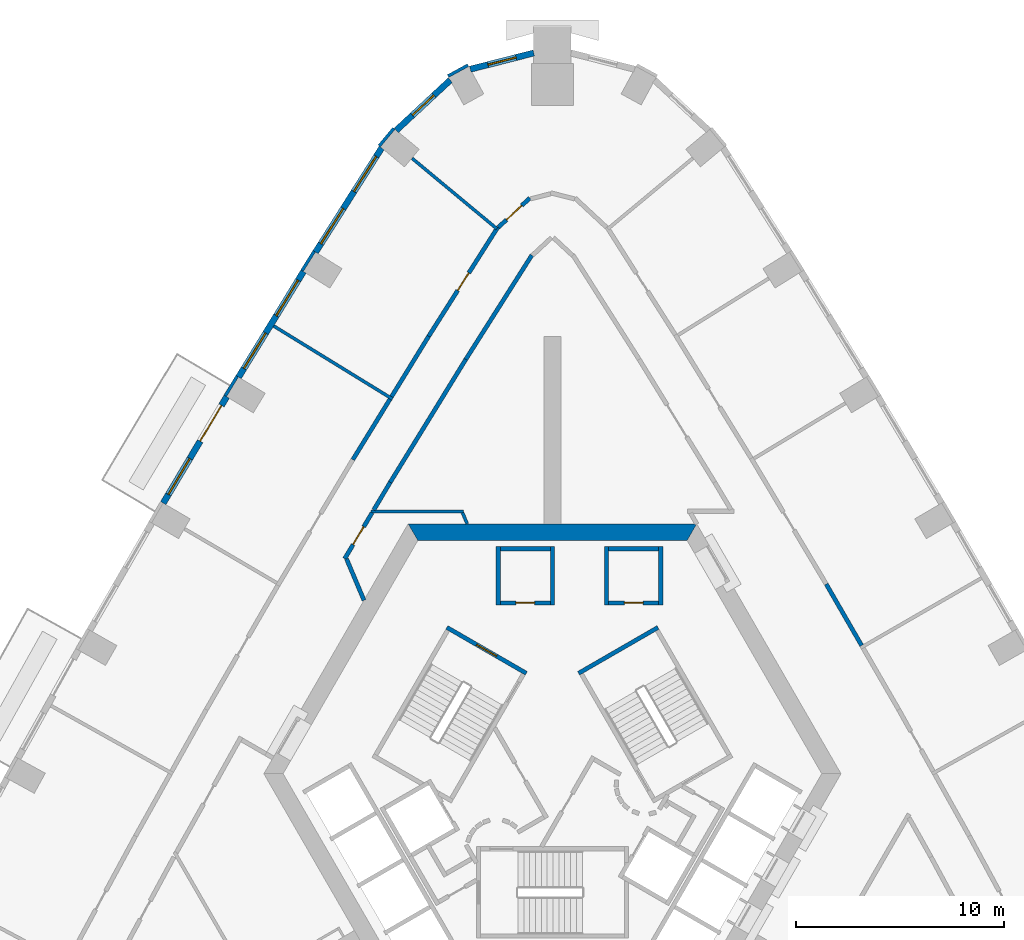
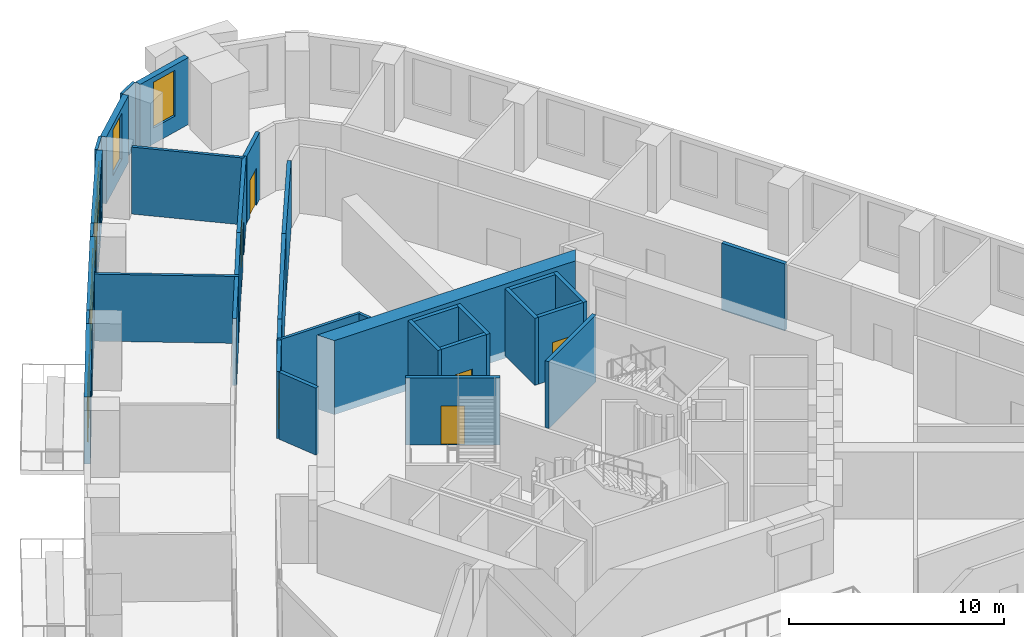
# One storey, part 9 of 14: 34 walls, 7 doors, 7 windows, 14 openings.
"""IFC4 building model written with IfcOpenShell, lengths in metres."""

from ifc_helpers import new_model, si_unit, direction, frame, frame_2d, origin, place, context, subcontext, project, spatial, polyline, rectangle, outline, extrude, material, layer, layer_set, type_object, element, fill, save


model = new_model("IFC4")

# Units and contexts
model_context = context("Model", 3, precision=1e-05, world=origin(), true_north=direction((0.0, 1.0)))
body_context = subcontext(model_context, "Body", "Model", "MODEL_VIEW")
ifc_project = project(units=[si_unit("LENGTHUNIT", "METRE"), si_unit("AREAUNIT", "SQUARE_METRE"), si_unit("VOLUMEUNIT", "CUBIC_METRE"), si_unit("PLANEANGLEUNIT", "RADIAN"), si_unit("MASSUNIT", "GRAM", prefix="KILO")], contexts=[model_context])

# Site, building, storey
site_placement = place(None, origin())
site = spatial("IfcSite", under=ifc_project, at=site_placement, CompositionType="ELEMENT")
building_placement = place(site_placement, origin())
building = spatial("IfcBuilding", under=site, at=building_placement, Name="Entoto Arch Interchange Tower", CompositionType="ELEMENT")
storey_placement = place(building_placement, frame((0.0, 0.0, 146.60009765625)))
storey = spatial("IfcBuildingStorey", under=building, at=storey_placement, Name="L32", CompositionType="ELEMENT", Elevation=146.60009765625)

# Walls
ifc_material_1 = material(Name="Concrete C50/60", Category="concrete")
ifc_layer_1 = layer(ifc_material_1, 0.800048828125)
ifc_layer_set_1 = layer_set([ifc_layer_1], Name="Concrete C50/60")
wall_type_1 = type_object("IfcWallType", Name="Core wall 800 C50/60", PredefinedType="SHEAR", material=ifc_layer_set_1)
wall_1_placement = place(storey_placement, frame((0.0, 0.0, -0.400146484375)))
element("IfcWall", 1, at=wall_1_placement, inside=storey, type_object=wall_type_1, Name="Core wall N L32", PredefinedType="SHEAR", context=body_context, shape_type="SweptSolid", body=[
    extrude(outline(polyline([(6.927978515625, 14.5), (-6.927978515625, 14.5), (-6.466064453125, 13.699951171875), (6.466064453125, 13.699951171875), (6.927978515625, 14.5)])), origin(), (0.0, 0.0, 1.0), 4.199951171875),
])
ifc_material_2 = material(Name="Gypsum board partition on steel studs", Category="steel")
ifc_layer_2 = layer(ifc_material_2, 0.14990234375)
ifc_layer_set_2 = layer_set([ifc_layer_2], Name="Gypsum board partition on steel studs")
wall_type_2 = type_object("IfcWallType", Name="PARTITION 150", PredefinedType="PARTITIONING", material=ifc_layer_set_2)
wall_2_placement = place(storey_placement, frame((-4.27197265625, 15.10009765625, 0.0), z_axis=(0.0, 0.0, 1.0), x_axis=(-1.0, 0.0, 0.0)))
element("IfcWall", 2, at=wall_2_placement, inside=storey, type_object=wall_type_2, Name="wall:L32:p085", PredefinedType="PARTITIONING", context=body_context, shape_type="SweptSolid", body=[
    extrude(rectangle(XDim=4.447998046875, YDim=0.14990234375, at=frame_2d((2.22412109375, 0.0))), origin(), (0.0, 0.0, 1.0), 3.7998046875),
])
wall_3_placement = place(storey_placement, frame((-4.093017578125, 14.5, 0.0), z_axis=(0.0, 0.0, 1.0), x_axis=(-0.390288929197, 0.92069243059, 0.0)))
element("IfcWall", 3, at=wall_3_placement, inside=storey, type_object=wall_type_2, Name="wall:L32:p086", PredefinedType="PARTITIONING", context=body_context, shape_type="SweptSolid", body=[
    extrude(rectangle(XDim=0.57666015625, YDim=0.14990234375, at=frame_2d((0.288330078125, 0.0))), origin(), (0.0, 0.0, 1.0), 3.7998046875),
])
wall_4_placement = place(storey_placement, frame((-2.669921875, 28.669921875, 0.0), z_axis=(0.0, 0.0, 1.0), x_axis=(-0.769162789992, 0.639052894909, 0.0)))
element("IfcWall", 4, at=wall_4_placement, inside=storey, type_object=wall_type_2, Name="wall:L32:p132", PredefinedType="PARTITIONING", context=body_context, shape_type="SweptSolid", body=[
    extrude(rectangle(XDim=5.287841796875, YDim=0.14990234375, at=frame_2d((2.64404296875, 0.0))), origin(), (0.0, 0.0, 1.0), 3.7998046875),
])
wall_5_placement = place(storey_placement, frame((-7.678955078125, 20.491943359375, 0.0), z_axis=(0.0, 0.0, 1.0), x_axis=(-0.851897179877, 0.523709074695, 0.0)))
element("IfcWall", 5, at=wall_5_placement, inside=storey, type_object=wall_type_2, Name="wall:L32:p133", PredefinedType="PARTITIONING", context=body_context, shape_type="SweptSolid", body=[
    extrude(rectangle(XDim=6.700439453125, YDim=0.14990234375, at=frame_2d((3.35009765625, 0.0))), origin(), (0.0, 0.0, 1.0), 3.7998046875),
])

# Wall, opening, door
ifc_layer_3 = layer(ifc_material_2, 0.199951171875)
ifc_layer_set_3 = layer_set([ifc_layer_3], Name="Gypsum board partition on steel studs")
wall_type_3 = type_object("IfcWallType", Name="PARTITION 200", PredefinedType="PARTITIONING", material=ifc_layer_set_3)
wall_6_placement = place(storey_placement, frame((-8.657958984375, 15.035888671875, 0.0), z_axis=(0.0, 0.0, 1.0), x_axis=(-0.511860217954, -0.859068750029, 0.0)))
wall_6 = element("IfcWall", 6, at=wall_6_placement, inside=storey, type_object=wall_type_3, Name="wall:L32:p001", PredefinedType="PARTITIONING", context=body_context, shape_type="SweptSolid", body=[
    extrude(rectangle(XDim=2.5771484375, YDim=0.199951171875, at=frame_2d((1.28857421875, 0.0))), origin(), (0.0, 0.0, 1.0), 3.7998046875),
])
opening_1_placement = place(wall_6_placement, frame((0.7880859375, 0.0, 0.0)))
opening_1 = element("IfcOpeningElement", 7, at=opening_1_placement, cuts=wall_6, Name="Opening L32-D30", PredefinedType="OPENING", context=body_context, shape_type="SweptSolid", body=[
    extrude(rectangle(XDim=1.0, YDim=2.10009765625, at=frame_2d((0.5, 1.050048828125))), frame((0.0, 0.10986328125, 0.0), z_axis=(0.0, -1.0, 0.0), x_axis=(1.0, 0.0, 0.0)), (0.0, 0.0, 1.0), 0.219970703125),
])
ifc_material_3 = material(Name="Timber door leaf in Steel S235 frame", Category="steel")
door_type_1 = type_object("IfcDoorType", Name="DOOR DS-10 1000x2100", OperationType="SINGLE_SWING_LEFT", PredefinedType="DOOR", material=ifc_material_3)
door_1_placement = place(opening_1_placement, origin())
door_1 = element("IfcDoor", 8, at=door_1_placement, inside=storey, type_object=door_type_1, Name="door:L32:30", OperationType="SINGLE_SWING_LEFT", OverallHeight=2.10009765625, OverallWidth=1.0, PredefinedType="DOOR", context=body_context, shape_type="SweptSolid", body=[
    extrude(rectangle(XDim=1.0, YDim=2.10009765625, at=frame_2d((0.5, 1.050048828125))), frame((0.0, 0.02490234375, 0.0), z_axis=(0.0, -1.0, 0.0), x_axis=(1.0, 0.0, 0.0)), (0.0, 0.0, 1.0), 0.050048828125),
])
fill(opening_1, door_1)

# Walls
wall_7_placement = place(storey_placement, frame((-9.886962890625, 12.81591796875, 0.0), z_axis=(0.0, 0.0, 1.0), x_axis=(0.388765037942, -0.921336933632, 0.0)))
element("IfcWall", 9, at=wall_7_placement, inside=storey, type_object=wall_type_3, Name="wall:L32:p002", PredefinedType="PARTITIONING", context=body_context, shape_type="SweptSolid", body=[
    extrude(rectangle(XDim=2.15771484375, YDim=0.199951171875, at=frame_2d((1.078857421875, 0.0))), origin(), (0.0, 0.0, 1.0), 3.7998046875),
])
wall_8_placement = place(storey_placement, frame((-0.988037109375, 27.40087890625, 0.0), z_axis=(0.0, 0.0, 1.0), x_axis=(-0.535496886312, -0.844537201519, 0.0)))
element("IfcWall", 10, at=wall_8_placement, inside=storey, type_object=wall_type_3, Name="wall:L32:p010", PredefinedType="PARTITIONING", context=body_context, shape_type="SweptSolid", body=[
    extrude(rectangle(XDim=5.92724609375, YDim=0.199951171875, at=frame_2d((2.963623046875, 0.0))), origin(), (0.0, 0.0, 1.0), 3.7998046875),
])
wall_9_placement = place(storey_placement, frame((-4.162109375, 22.39501953125, 0.0), z_axis=(0.0, 0.0, 1.0), x_axis=(-0.523625371849, -0.851948631055, 0.0)))
element("IfcWall", 11, at=wall_9_placement, inside=storey, type_object=wall_type_3, Name="wall:L32:p011", PredefinedType="PARTITIONING", context=body_context, shape_type="SweptSolid", body=[
    extrude(rectangle(XDim=6.926513671875, YDim=0.199951171875, at=frame_2d((3.46337890625, 0.0))), origin(), (0.0, 0.0, 1.0), 3.7998046875),
])
wall_10_placement = place(storey_placement, frame((-7.7890625, 16.493896484375, 0.0), z_axis=(0.0, 0.0, 1.0), x_axis=(-0.511686277462, -0.859172365394, 0.0)))
element("IfcWall", 12, at=wall_10_placement, inside=storey, type_object=wall_type_3, Name="wall:L32:p012", PredefinedType="PARTITIONING", context=body_context, shape_type="SweptSolid", body=[
    extrude(rectangle(XDim=1.5478515625, YDim=0.199951171875, at=frame_2d((0.77392578125, 0.0))), origin(), (0.0, 0.0, 1.0), 3.7998046875),
])
wall_11_placement = place(storey_placement, frame((13.14599609375, 11.60595703125, 0.0), z_axis=(0.0, 0.0, 1.0), x_axis=(0.499881871653, -0.866093594476, 0.0)))
element("IfcWall", 13, at=wall_11_placement, inside=storey, type_object=wall_type_3, Name="wall:L32:p044", PredefinedType="PARTITIONING", context=body_context, shape_type="SweptSolid", body=[
    extrude(rectangle(XDim=3.402587890625, YDim=0.199951171875, at=frame_2d((1.701171875, 0.0))), origin(), (0.0, 0.0, 1.0), 3.7998046875),
])

# Wall, opening, door
wall_12_placement = place(storey_placement, frame((-2.596923828125, 28.738037109375, 0.0), z_axis=(0.0, 0.0, 1.0), x_axis=(0.73206471367, 0.681235095249, 0.0)))
wall_12 = element("IfcWall", 14, at=wall_12_placement, inside=storey, type_object=wall_type_3, Name="wall:L32:p047", PredefinedType="PARTITIONING", context=body_context, shape_type="SweptSolid", body=[
    extrude(rectangle(XDim=2.0654296875, YDim=0.199951171875, at=frame_2d((1.03271484375, 0.0))), origin(), (0.0, 0.0, 1.0), 3.7998046875),
])
opening_2_placement = place(wall_12_placement, frame((0.531982421875, 0.0, 0.0)))
opening_2 = element("IfcOpeningElement", 15, at=opening_2_placement, cuts=wall_12, Name="Opening L32-D10", PredefinedType="OPENING", context=body_context, shape_type="SweptSolid", body=[
    extrude(rectangle(XDim=1.0, YDim=2.10009765625, at=frame_2d((0.5, 1.050048828125))), frame((0.0, 0.10986328125, 0.0), z_axis=(0.0, -1.0, 0.0), x_axis=(1.0, 0.0, 0.0)), (0.0, 0.0, 1.0), 0.219970703125),
])
door_2_placement = place(opening_2_placement, origin())
door_2 = element("IfcDoor", 16, at=door_2_placement, inside=storey, type_object=door_type_1, Name="door:L32:10", OperationType="SINGLE_SWING_LEFT", OverallHeight=2.10009765625, OverallWidth=1.0, PredefinedType="DOOR", context=body_context, shape_type="SweptSolid", body=[
    extrude(rectangle(XDim=1.0, YDim=2.10009765625, at=frame_2d((0.5, 1.050048828125))), frame((0.0, 0.02490234375, 0.0), z_axis=(0.0, -1.0, 0.0), x_axis=(1.0, 0.0, 0.0)), (0.0, 0.0, 1.0), 0.050048828125),
])
fill(opening_2, door_2)

# Wall
wall_13_placement = place(storey_placement, frame((-7.72509765625, 20.60791015625, 0.0), z_axis=(0.0, 0.0, 1.0), x_axis=(0.523645038298, 0.851936543333, 0.0)))
element("IfcWall", 17, at=wall_13_placement, inside=storey, type_object=wall_type_3, Name="wall:L32:p051", PredefinedType="PARTITIONING", context=body_context, shape_type="SweptSolid", body=[
    extrude(rectangle(XDim=3.403076171875, YDim=0.199951171875, at=frame_2d((1.70166015625, 0.0))), origin(), (0.0, 0.0, 1.0), 3.7998046875),
])

# Wall, opening, door
wall_14_placement = place(storey_placement, frame((-5.943115234375, 23.507080078125, 0.0), z_axis=(0.0, 0.0, 1.0), x_axis=(0.535529721247, 0.844516380931, 0.0)))
wall_14 = element("IfcWall", 18, at=wall_14_placement, inside=storey, type_object=wall_type_3, Name="wall:L32:p052", PredefinedType="PARTITIONING", context=body_context, shape_type="SweptSolid", body=[
    extrude(rectangle(XDim=6.212890625, YDim=0.199951171875, at=frame_2d((3.1064453125, 0.0))), origin(), (0.0, 0.0, 1.0), 3.7998046875),
])
opening_3_placement = place(wall_14_placement, frame((2.60693359375, 0.0, 0.0)))
opening_3 = element("IfcOpeningElement", 19, at=opening_3_placement, cuts=wall_14, Name="Opening L32-D11", PredefinedType="OPENING", context=body_context, shape_type="SweptSolid", body=[
    extrude(rectangle(XDim=1.0, YDim=2.10009765625, at=frame_2d((0.5, 1.050048828125))), frame((0.0, 0.10986328125, 0.0), z_axis=(0.0, -1.0, 0.0), x_axis=(1.0, 0.0, 0.0)), (0.0, 0.0, 1.0), 0.219970703125),
])
door_3_placement = place(opening_3_placement, origin())
door_3 = element("IfcDoor", 20, at=door_3_placement, inside=storey, type_object=door_type_1, Name="door:L32:11", OperationType="SINGLE_SWING_LEFT", OverallHeight=2.10009765625, OverallWidth=1.0, PredefinedType="DOOR", context=body_context, shape_type="SweptSolid", body=[
    extrude(rectangle(XDim=1.0, YDim=2.10009765625, at=frame_2d((0.5, 1.050048828125))), frame((0.0, 0.02490234375, 0.0), z_axis=(0.0, -1.0, 0.0), x_axis=(1.0, 0.0, 0.0)), (0.0, 0.0, 1.0), 0.050048828125),
])
fill(opening_3, door_3)

# Walls
wall_15_placement = place(storey_placement, frame((-9.5859375, 17.5810546875, 0.0), z_axis=(0.0, 0.0, 1.0), x_axis=(0.523757261565, 0.851867554822, 0.0)))
element("IfcWall", 21, at=wall_15_placement, inside=storey, type_object=wall_type_3, Name="wall:L32:p054", PredefinedType="PARTITIONING", context=body_context, shape_type="SweptSolid", body=[
    extrude(rectangle(XDim=3.404052734375, YDim=0.199951171875, at=frame_2d((1.7021484375, 0.0))), origin(), (0.0, 0.0, 1.0), 3.7998046875),
])
wall_16_placement = place(storey_placement, frame((5.199951171875, 13.39990234375, 0.0), z_axis=(0.0, 0.0, 1.0), x_axis=(0.0, -1.0, 0.0)))
element("IfcWall", 22, at=wall_16_placement, inside=storey, type_object=wall_type_3, Name="wall:L32:p066", PredefinedType="PARTITIONING", context=body_context, shape_type="SweptSolid", body=[
    extrude(rectangle(XDim=2.7998046875, YDim=0.199951171875, at=frame_2d((1.39990234375, 0.0))), origin(), (0.0, 0.0, 1.0), 3.7998046875),
])

# Wall, opening, door
wall_17_placement = place(storey_placement, frame((5.10009765625, 10.699951171875, 0.0), z_axis=(0.0, 0.0, 1.0), x_axis=(-1.0, 0.0, 0.0)))
wall_17 = element("IfcWall", 23, at=wall_17_placement, inside=storey, type_object=wall_type_3, Name="wall:L32:p067", PredefinedType="PARTITIONING", context=body_context, shape_type="SweptSolid", body=[
    extrude(rectangle(XDim=2.400146484375, YDim=0.199951171875, at=frame_2d((1.2001953125, 0.0))), origin(), (0.0, 0.0, 1.0), 3.7998046875),
])
opening_4_placement = place(wall_17_placement, frame((0.75, 0.0, 0.0)))
opening_4 = element("IfcOpeningElement", 24, at=opening_4_placement, cuts=wall_17, Name="Opening L32-D33", PredefinedType="OPENING", context=body_context, shape_type="SweptSolid", body=[
    extrude(rectangle(XDim=0.89990234375, YDim=2.10009765625, at=frame_2d((0.449951171875, 1.050048828125))), frame((0.0, 0.10986328125, 0.0), z_axis=(0.0, -1.0, 0.0), x_axis=(1.0, 0.0, 0.0)), (0.0, 0.0, 1.0), 0.219970703125),
])
door_type_2 = type_object("IfcDoorType", Name="DOOR DS-09 900x2100", OperationType="SINGLE_SWING_LEFT", PredefinedType="DOOR", material=ifc_material_3)
door_4_placement = place(opening_4_placement, origin())
door_4 = element("IfcDoor", 25, at=door_4_placement, inside=storey, type_object=door_type_2, Name="door:L32:33", OperationType="SINGLE_SWING_RIGHT", OverallHeight=2.10009765625, OverallWidth=0.89990234375, PredefinedType="DOOR", context=body_context, shape_type="SweptSolid", body=[
    extrude(rectangle(XDim=0.89990234375, YDim=2.10009765625, at=frame_2d((0.449951171875, 1.050048828125))), frame((0.0, 0.02490234375, 0.0), z_axis=(0.0, -1.0, 0.0), x_axis=(1.0, 0.0, 0.0)), (0.0, 0.0, 1.0), 0.050048828125),
])
fill(opening_4, door_4)

# Walls
wall_18_placement = place(storey_placement, frame((2.60009765625, 10.60009765625, 0.0), z_axis=(0.0, 0.0, 1.0), x_axis=(0.0, 1.0, 0.0)))
element("IfcWall", 26, at=wall_18_placement, inside=storey, type_object=wall_type_3, Name="wall:L32:p068", PredefinedType="PARTITIONING", context=body_context, shape_type="SweptSolid", body=[
    extrude(rectangle(XDim=2.7998046875, YDim=0.199951171875, at=frame_2d((1.39990234375, 0.0))), origin(), (0.0, 0.0, 1.0), 3.7998046875),
])
wall_19_placement = place(storey_placement, frame((2.699951171875, 13.300048828125, 0.0), z_axis=(0.0, 0.0, 1.0), x_axis=(1.0, 0.0, 0.0)))
element("IfcWall", 27, at=wall_19_placement, inside=storey, type_object=wall_type_3, Name="wall:L32:p069", PredefinedType="PARTITIONING", context=body_context, shape_type="SweptSolid", body=[
    extrude(rectangle(XDim=2.400146484375, YDim=0.199951171875, at=frame_2d((1.2001953125, 0.0))), origin(), (0.0, 0.0, 1.0), 3.7998046875),
])
wall_20_placement = place(storey_placement, frame((0.0, 13.39990234375, 0.0), z_axis=(0.0, 0.0, 1.0), x_axis=(0.0, -1.0, 0.0)))
element("IfcWall", 28, at=wall_20_placement, inside=storey, type_object=wall_type_3, Name="wall:L32:p070", PredefinedType="PARTITIONING", context=body_context, shape_type="SweptSolid", body=[
    extrude(rectangle(XDim=2.7998046875, YDim=0.199951171875, at=frame_2d((1.39990234375, 0.0))), origin(), (0.0, 0.0, 1.0), 3.7998046875),
])

# Wall, opening, door
wall_21_placement = place(storey_placement, frame((-0.10009765625, 10.699951171875, 0.0), z_axis=(0.0, 0.0, 1.0), x_axis=(-1.0, 0.0, 0.0)))
wall_21 = element("IfcWall", 29, at=wall_21_placement, inside=storey, type_object=wall_type_3, Name="wall:L32:p071", PredefinedType="PARTITIONING", context=body_context, shape_type="SweptSolid", body=[
    extrude(rectangle(XDim=2.39990234375, YDim=0.199951171875, at=frame_2d((1.199951171875, 0.0))), origin(), (0.0, 0.0, 1.0), 3.7998046875),
])
opening_5_placement = place(wall_21_placement, frame((0.75, 0.0, 0.0)))
opening_5 = element("IfcOpeningElement", 30, at=opening_5_placement, cuts=wall_21, Name="Opening L32-D34", PredefinedType="OPENING", context=body_context, shape_type="SweptSolid", body=[
    extrude(rectangle(XDim=0.89990234375, YDim=2.10009765625, at=frame_2d((0.449951171875, 1.050048828125))), frame((0.0, 0.10986328125, 0.0), z_axis=(0.0, -1.0, 0.0), x_axis=(1.0, 0.0, 0.0)), (0.0, 0.0, 1.0), 0.219970703125),
])
door_5_placement = place(opening_5_placement, origin())
door_5 = element("IfcDoor", 31, at=door_5_placement, inside=storey, type_object=door_type_2, Name="door:L32:34", OperationType="SINGLE_SWING_RIGHT", OverallHeight=2.10009765625, OverallWidth=0.89990234375, PredefinedType="DOOR", context=body_context, shape_type="SweptSolid", body=[
    extrude(rectangle(XDim=0.89990234375, YDim=2.10009765625, at=frame_2d((0.449951171875, 1.050048828125))), frame((0.0, 0.02490234375, 0.0), z_axis=(0.0, -1.0, 0.0), x_axis=(1.0, 0.0, 0.0)), (0.0, 0.0, 1.0), 0.050048828125),
])
fill(opening_5, door_5)

# Walls
wall_22_placement = place(storey_placement, frame((-2.60009765625, 10.60009765625, 0.0), z_axis=(0.0, 0.0, 1.0), x_axis=(0.0, 1.0, 0.0)))
element("IfcWall", 32, at=wall_22_placement, inside=storey, type_object=wall_type_3, Name="wall:L32:p072", PredefinedType="PARTITIONING", context=body_context, shape_type="SweptSolid", body=[
    extrude(rectangle(XDim=2.7998046875, YDim=0.199951171875, at=frame_2d((1.39990234375, 0.0))), origin(), (0.0, 0.0, 1.0), 3.7998046875),
])
wall_23_placement = place(storey_placement, frame((-2.5, 13.300048828125, 0.0), z_axis=(0.0, 0.0, 1.0), x_axis=(1.0, 0.0, 0.0)))
element("IfcWall", 33, at=wall_23_placement, inside=storey, type_object=wall_type_3, Name="wall:L32:p073", PredefinedType="PARTITIONING", context=body_context, shape_type="SweptSolid", body=[
    extrude(rectangle(XDim=2.39990234375, YDim=0.199951171875, at=frame_2d((1.199951171875, 0.0))), origin(), (0.0, 0.0, 1.0), 3.7998046875),
])
ifc_material_4 = material(Name="Concrete C40/50", Category="concrete")
ifc_layer_4 = layer(ifc_material_4, 0.199951171875)
ifc_layer_set_4 = layer_set([ifc_layer_4], Name="Concrete C40/50")
wall_type_4 = type_object("IfcWallType", Name="STAIR ENCLOSURE WALL 200", PredefinedType="STANDARD", material=ifc_layer_set_4)
wall_24_placement = place(storey_placement, frame((1.256103515625, 7.323974609375, 0.0), z_axis=(0.0, 0.0, 1.0), x_axis=(0.866046073146, 0.499964197906, 0.0)))
element("IfcWall", 34, at=wall_24_placement, inside=storey, type_object=wall_type_4, Name="Stair wall ST-NE far", PredefinedType="STANDARD", context=body_context, shape_type="SweptSolid", body=[
    extrude(rectangle(XDim=4.400146484375, YDim=0.199951171875, at=frame_2d((2.2001953125, 0.0))), origin(), (0.0, 0.0, 1.0), 3.7998046875),
])

# Wall, opening, door
wall_25_placement = place(storey_placement, frame((-1.256103515625, 7.323974609375, 0.0), z_axis=(0.0, 0.0, 1.0), x_axis=(-0.866046073146, 0.499964197906, 0.0)))
wall_25 = element("IfcWall", 35, at=wall_25_placement, inside=storey, type_object=wall_type_4, Name="Stair wall ST-NW near", PredefinedType="STANDARD", context=body_context, shape_type="SweptSolid", body=[
    extrude(rectangle(XDim=4.400146484375, YDim=0.199951171875, at=frame_2d((2.2001953125, 0.0))), origin(), (0.0, 0.0, 1.0), 3.7998046875),
])
opening_6_placement = place(wall_25_placement, frame((1.64990234375, 0.0, 0.0)))
opening_6 = element("IfcOpeningElement", 36, at=opening_6_placement, cuts=wall_25, Name="Opening SD-ST-NW-L32-E", PredefinedType="OPENING", context=body_context, shape_type="SweptSolid", body=[
    extrude(rectangle(XDim=1.10009765625, YDim=2.199951171875, at=frame_2d((0.550048828125, 1.10009765625))), frame((0.0, 0.10986328125, 0.0), z_axis=(0.0, -1.0, 0.0), x_axis=(1.0, 0.0, 0.0)), (0.0, 0.0, 1.0), 0.219970703125),
])
ifc_material_5 = material(Name="Steel S235", Category="steel")
door_type_3 = type_object("IfcDoorType", Name="STAIR DOOR SD1 1100x2200", OperationType="SINGLE_SWING_LEFT", PredefinedType="DOOR", material=ifc_material_5)
door_6_placement = place(opening_6_placement, origin())
door_6 = element("IfcDoor", 37, at=door_6_placement, inside=storey, type_object=door_type_3, Name="Stair door ST-NW L32 end", OperationType="SINGLE_SWING_LEFT", OverallHeight=2.199951171875, OverallWidth=1.10009765625, PredefinedType="DOOR", context=body_context, shape_type="SweptSolid", body=[
    extrude(rectangle(XDim=1.10009765625, YDim=2.199951171875, at=frame_2d((0.550048828125, 1.10009765625))), frame((0.0, 0.02490234375, 0.0), z_axis=(0.0, -1.0, 0.0), x_axis=(1.0, 0.0, 0.0)), (0.0, 0.0, 1.0), 0.050048828125),
])
fill(opening_6, door_6)

# Wall, opening, window
ifc_material_6 = material(Name="Welded tuff (ignimbrite) cladding, warm buff", Category="masonry")
ifc_layer_5 = layer(ifc_material_6, 0.300048828125)
ifc_layer_set_5 = layer_set([ifc_layer_5], Name="Welded tuff (ignimbrite) cladding, warm buff")
wall_type_5 = type_object("IfcWallType", Name="STONE INFILL WALL 300", PredefinedType="STANDARD", material=ifc_layer_set_5)
wall_26_placement = place(storey_placement, frame((-0.89892578125, 37.10888671875, 0.0), z_axis=(0.0, 0.0, 1.0), x_axis=(-0.968929586963, -0.247336724947, 0.0)))
wall_26 = element("IfcWall", 38, at=wall_26_placement, inside=storey, type_object=wall_type_5, Name="Facade wall N-03 L32", PredefinedType="STANDARD", context=body_context, shape_type="SweptSolid", body=[
    extrude(rectangle(XDim=3.144775390625, YDim=0.300048828125, at=frame_2d((1.572265625, 0.0))), origin(), (0.0, 0.0, 1.0), 3.7998046875),
])
opening_7_placement = place(wall_26_placement, frame((0.8720703125, 0.0, 0.89990234375)))
opening_7 = element("IfcOpeningElement", 39, at=opening_7_placement, cuts=wall_26, Name="Opening WO-B", PredefinedType="OPENING", context=body_context, shape_type="SweptSolid", body=[
    extrude(rectangle(XDim=1.39990234375, YDim=2.60009765625, at=frame_2d((0.699951171875, 1.300048828125))), frame((0.0, 0.16015625, 0.0), z_axis=(0.0, -1.0, 0.0), x_axis=(1.0, 0.0, 0.0)), (0.0, 0.0, 1.0), 0.320068359375),
])
ifc_material_7 = material(Name="Clear glass, low-e double glazed", Category="glass")
window_type_1 = type_object("IfcWindowType", Name="WINDOW WO-B 1400x2600", PartitioningType="DOUBLE_PANEL_VERTICAL", PredefinedType="WINDOW", material=ifc_material_7)
window_1_placement = place(opening_7_placement, origin())
window_1 = element("IfcWindow", 40, at=window_1_placement, inside=storey, type_object=window_type_1, Name="Window WO-B N-03 L32", OverallHeight=2.60009765625, OverallWidth=1.39990234375, PartitioningType="SINGLE_PANEL", PredefinedType="WINDOW", context=body_context, shape_type="SweptSolid", body=[
    extrude(rectangle(XDim=1.39990234375, YDim=2.60009765625, at=frame_2d((0.699951171875, 1.300048828125))), frame((0.0, 0.030029296875, 0.0), z_axis=(0.0, -1.0, 0.0), x_axis=(1.0, 0.0, 0.0)), (0.0, 0.0, 1.0), 0.06005859375),
])
fill(opening_7, window_1)

wall_27_placement = place(storey_placement, frame((-4.909912109375, 35.804931640625, 0.0), z_axis=(0.0, 0.0, 1.0), x_axis=(-0.732121882671, -0.681173655475, 0.0)))
wall_27 = element("IfcWall", 41, at=wall_27_placement, inside=storey, type_object=wall_type_5, Name="Facade wall N-04 L32", PredefinedType="STANDARD", context=body_context, shape_type="SweptSolid", body=[
    extrude(rectangle(XDim=3.536376953125, YDim=0.300048828125, at=frame_2d((1.76806640625, 0.0))), origin(), (0.0, 0.0, 1.0), 3.7998046875),
])
opening_8_placement = place(wall_27_placement, frame((1.068115234375, 0.0, 0.89990234375)))
opening_8 = element("IfcOpeningElement", 42, at=opening_8_placement, cuts=wall_27, Name="Opening WO-B", PredefinedType="OPENING", context=body_context, shape_type="SweptSolid", body=[
    extrude(rectangle(XDim=1.39990234375, YDim=2.60009765625, at=frame_2d((0.699951171875, 1.300048828125))), frame((0.0, 0.16015625, 0.0), z_axis=(0.0, -1.0, 0.0), x_axis=(1.0, 0.0, 0.0)), (0.0, 0.0, 1.0), 0.320068359375),
])
window_2_placement = place(opening_8_placement, origin())
window_2 = element("IfcWindow", 43, at=window_2_placement, inside=storey, type_object=window_type_1, Name="Window WO-B N-04 L32", OverallHeight=2.60009765625, OverallWidth=1.39990234375, PartitioningType="SINGLE_PANEL", PredefinedType="WINDOW", context=body_context, shape_type="SweptSolid", body=[
    extrude(rectangle(XDim=1.39990234375, YDim=2.60009765625, at=frame_2d((0.699951171875, 1.300048828125))), frame((0.0, 0.030029296875, 0.0), z_axis=(0.0, -1.0, 0.0), x_axis=(1.0, 0.0, 0.0)), (0.0, 0.0, 1.0), 0.06005859375),
])
fill(opening_8, window_2)

# Wall, openings, windows
wall_28_placement = place(storey_placement, frame((-8.200927734375, 32.552001953125, 0.0), z_axis=(0.0, 0.0, 1.0), x_axis=(-0.535403761464, -0.844596242124, 0.0)))
wall_28 = element("IfcWall", 44, at=wall_28_placement, inside=storey, type_object=wall_type_5, Name="Facade wall NW-01 L32", PredefinedType="STANDARD", context=body_context, shape_type="SweptSolid", body=[
    extrude(rectangle(XDim=5.928466796875, YDim=0.300048828125, at=frame_2d((2.96435546875, 0.0))), origin(), (0.0, 0.0, 1.0), 3.7998046875),
])
opening_9_placement = place(wall_28_placement, frame((0.48193359375, 0.0, 0.89990234375)))
opening_9 = element("IfcOpeningElement", 45, at=opening_9_placement, cuts=wall_28, Name="Opening WO-C", PredefinedType="OPENING", context=body_context, shape_type="SweptSolid", body=[
    extrude(rectangle(XDim=2.0, YDim=2.60009765625, at=frame_2d((1.0, 1.300048828125))), frame((0.0, 0.16015625, 0.0), z_axis=(0.0, -1.0, 0.0), x_axis=(1.0, 0.0, 0.0)), (0.0, 0.0, 1.0), 0.320068359375),
])
opening_10_placement = place(wall_28_placement, frame((3.446044921875, 0.0, 0.89990234375)))
opening_10 = element("IfcOpeningElement", 46, at=opening_10_placement, cuts=wall_28, Name="Opening WO-C", PredefinedType="OPENING", context=body_context, shape_type="SweptSolid", body=[
    extrude(rectangle(XDim=2.0, YDim=2.60009765625, at=frame_2d((1.0, 1.300048828125))), frame((0.0, 0.16015625, 0.0), z_axis=(0.0, -1.0, 0.0), x_axis=(1.0, 0.0, 0.0)), (0.0, 0.0, 1.0), 0.320068359375),
])
window_type_2 = type_object("IfcWindowType", Name="WINDOW WO-C 2000x2600", PartitioningType="DOUBLE_PANEL_VERTICAL", PredefinedType="WINDOW", material=ifc_material_7)
window_3_placement = place(opening_9_placement, origin())
window_3 = element("IfcWindow", 47, at=window_3_placement, inside=storey, type_object=window_type_2, Name="Window WO-C NW-01 L32", OverallHeight=2.60009765625, OverallWidth=2.0, PartitioningType="SINGLE_PANEL", PredefinedType="WINDOW", context=body_context, shape_type="SweptSolid", body=[
    extrude(rectangle(XDim=2.0, YDim=2.60009765625, at=frame_2d((1.0, 1.300048828125))), frame((0.0, 0.030029296875, 0.0), z_axis=(0.0, -1.0, 0.0), x_axis=(1.0, 0.0, 0.0)), (0.0, 0.0, 1.0), 0.06005859375),
])
fill(opening_9, window_3)
window_4_placement = place(opening_10_placement, origin())
window_4 = element("IfcWindow", 48, at=window_4_placement, inside=storey, type_object=window_type_2, Name="Window WO-C NW-01 L32", OverallHeight=2.60009765625, OverallWidth=2.0, PartitioningType="SINGLE_PANEL", PredefinedType="WINDOW", context=body_context, shape_type="SweptSolid", body=[
    extrude(rectangle(XDim=2.0, YDim=2.60009765625, at=frame_2d((1.0, 1.300048828125))), frame((0.0, 0.030029296875, 0.0), z_axis=(0.0, -1.0, 0.0), x_axis=(1.0, 0.0, 0.0)), (0.0, 0.0, 1.0), 0.06005859375),
])
fill(opening_10, window_4)

wall_29_placement = place(storey_placement, frame((-11.9560546875, 26.614013671875, 0.0), z_axis=(0.0, 0.0, 1.0), x_axis=(-0.523719731127, -0.851890628677, 0.0)))
wall_29 = element("IfcWall", 49, at=wall_29_placement, inside=storey, type_object=wall_type_5, Name="Facade wall NW-02 L32", PredefinedType="STANDARD", context=body_context, shape_type="SweptSolid", body=[
    extrude(rectangle(XDim=5.95166015625, YDim=0.300048828125, at=frame_2d((2.975830078125, 0.0))), origin(), (0.0, 0.0, 1.0), 3.7998046875),
])
opening_11_placement = place(wall_29_placement, frame((0.488037109375, 0.0, 0.89990234375)))
opening_11 = element("IfcOpeningElement", 50, at=opening_11_placement, cuts=wall_29, Name="Opening WO-C", PredefinedType="OPENING", context=body_context, shape_type="SweptSolid", body=[
    extrude(rectangle(XDim=2.0, YDim=2.60009765625, at=frame_2d((1.0, 1.300048828125))), frame((0.0, 0.16015625, 0.0), z_axis=(0.0, -1.0, 0.0), x_axis=(1.0, 0.0, 0.0)), (0.0, 0.0, 1.0), 0.320068359375),
])
opening_12_placement = place(wall_29_placement, frame((3.464111328125, 0.0, 0.89990234375)))
opening_12 = element("IfcOpeningElement", 51, at=opening_12_placement, cuts=wall_29, Name="Opening WO-C", PredefinedType="OPENING", context=body_context, shape_type="SweptSolid", body=[
    extrude(rectangle(XDim=2.0, YDim=2.60009765625, at=frame_2d((1.0, 1.300048828125))), frame((0.0, 0.16015625, 0.0), z_axis=(0.0, -1.0, 0.0), x_axis=(1.0, 0.0, 0.0)), (0.0, 0.0, 1.0), 0.320068359375),
])
window_5_placement = place(opening_11_placement, origin())
window_5 = element("IfcWindow", 52, at=window_5_placement, inside=storey, type_object=window_type_2, Name="Window WO-C NW-02 L32", OverallHeight=2.60009765625, OverallWidth=2.0, PartitioningType="SINGLE_PANEL", PredefinedType="WINDOW", context=body_context, shape_type="SweptSolid", body=[
    extrude(rectangle(XDim=2.0, YDim=2.60009765625, at=frame_2d((1.0, 1.300048828125))), frame((0.0, 0.030029296875, 0.0), z_axis=(0.0, -1.0, 0.0), x_axis=(1.0, 0.0, 0.0)), (0.0, 0.0, 1.0), 0.06005859375),
])
fill(opening_11, window_5)
window_6_placement = place(opening_12_placement, origin())
window_6 = element("IfcWindow", 53, at=window_6_placement, inside=storey, type_object=window_type_2, Name="Window WO-C NW-02 L32", OverallHeight=2.60009765625, OverallWidth=2.0, PartitioningType="SINGLE_PANEL", PredefinedType="WINDOW", context=body_context, shape_type="SweptSolid", body=[
    extrude(rectangle(XDim=2.0, YDim=2.60009765625, at=frame_2d((1.0, 1.300048828125))), frame((0.0, 0.030029296875, 0.0), z_axis=(0.0, -1.0, 0.0), x_axis=(1.0, 0.0, 0.0)), (0.0, 0.0, 1.0), 0.06005859375),
])
fill(opening_12, window_6)

# Wall, openings, door, window
wall_30_placement = place(storey_placement, frame((-15.64208984375, 20.60498046875, 0.0), z_axis=(0.0, 0.0, 1.0), x_axis=(-0.511856715331, -0.859070836992, 0.0)))
wall_30 = element("IfcWall", 54, at=wall_30_placement, inside=storey, type_object=wall_type_5, Name="Facade wall NW-03 L32", PredefinedType="STANDARD", context=body_context, shape_type="SweptSolid", body=[
    extrude(rectangle(XDim=5.95068359375, YDim=0.300048828125, at=frame_2d((2.975341796875, 0.0))), origin(), (0.0, 0.0, 1.0), 3.7998046875),
])
opening_13_placement = place(wall_30_placement, frame((0.488037109375, 0.0, 0.0)))
opening_13 = element("IfcOpeningElement", 55, at=opening_13_placement, cuts=wall_30, Name="Opening DB-NW-03-L32", PredefinedType="OPENING", context=body_context, shape_type="SweptSolid", body=[
    extrude(rectangle(XDim=2.0, YDim=2.39990234375, at=frame_2d((1.0, 1.199951171875))), frame((0.0, 0.16015625, 0.0), z_axis=(0.0, -1.0, 0.0), x_axis=(1.0, 0.0, 0.0)), (0.0, 0.0, 1.0), 0.320068359375),
])
opening_14_placement = place(wall_30_placement, frame((3.462890625, 0.0, 0.89990234375)))
opening_14 = element("IfcOpeningElement", 56, at=opening_14_placement, cuts=wall_30, Name="Opening WO-C", PredefinedType="OPENING", context=body_context, shape_type="SweptSolid", body=[
    extrude(rectangle(XDim=2.0, YDim=2.60009765625, at=frame_2d((1.0, 1.300048828125))), frame((0.0, 0.16015625, 0.0), z_axis=(0.0, -1.0, 0.0), x_axis=(1.0, 0.0, 0.0)), (0.0, 0.0, 1.0), 0.320068359375),
])
ifc_material_8 = material(Name="Aluminium and clear glass, anodised", Category="aluminium")
door_type_4 = type_object("IfcDoorType", Name="BALCONY DOOR DB 2000x2400", OperationType="SLIDING_TO_LEFT", PredefinedType="DOOR", material=ifc_material_8)
door_7_placement = place(opening_13_placement, origin())
door_7 = element("IfcDoor", 57, at=door_7_placement, inside=storey, type_object=door_type_4, Name="Balcony door NW-03 L32", OperationType="SLIDING_TO_LEFT", OverallHeight=2.39990234375, OverallWidth=2.0, PredefinedType="DOOR", context=body_context, shape_type="SweptSolid", body=[
    extrude(rectangle(XDim=2.0, YDim=2.39990234375, at=frame_2d((1.0, 1.199951171875))), frame((0.0, 0.02490234375, 0.0), z_axis=(0.0, -1.0, 0.0), x_axis=(1.0, 0.0, 0.0)), (0.0, 0.0, 1.0), 0.050048828125),
])
fill(opening_13, door_7)
window_7_placement = place(opening_14_placement, origin())
window_7 = element("IfcWindow", 58, at=window_7_placement, inside=storey, type_object=window_type_2, Name="Window WO-C NW-03 L32", OverallHeight=2.60009765625, OverallWidth=2.0, PartitioningType="SINGLE_PANEL", PredefinedType="WINDOW", context=body_context, shape_type="SweptSolid", body=[
    extrude(rectangle(XDim=2.0, YDim=2.60009765625, at=frame_2d((1.0, 1.300048828125))), frame((0.0, 0.030029296875, 0.0), z_axis=(0.0, -1.0, 0.0), x_axis=(1.0, 0.0, 0.0)), (0.0, 0.0, 1.0), 0.06005859375),
])
fill(opening_14, window_7)

# Walls
ifc_layer_6 = layer(ifc_material_6, 0.14990234375)
ifc_layer_set_6 = layer_set([ifc_layer_6], Name="Welded tuff (ignimbrite) cladding, warm buff")
wall_type_6 = type_object("IfcWallType", Name="STONE PIER CLADDING 150", PredefinedType="STANDARD", material=ifc_layer_set_6)
wall_31_placement = place(storey_placement, frame((-4.050048828125, 36.52490234375, 0.0), z_axis=(0.0, 0.0, 1.0), x_axis=(-0.877929486755, -0.478789950068, 0.0)))
element("IfcWall", 59, at=wall_31_placement, inside=storey, type_object=wall_type_6, Name="Stone pier N3 L32", PredefinedType="STANDARD", context=body_context, shape_type="SweptSolid", body=[
    extrude(rectangle(XDim=1.100341796875, YDim=0.14990234375, at=frame_2d((0.55029296875, 0.0))), origin(), (0.0, 0.0, 1.0), 3.7998046875),
])
wall_32_placement = place(storey_placement, frame((-7.612060546875, 33.490966796875, 0.0), z_axis=(0.0, 0.0, 1.0), x_axis=(-0.639070205934, -0.769148406933, 0.0)))
element("IfcWall", 60, at=wall_32_placement, inside=storey, type_object=wall_type_6, Name="Stone pier NW01 L32", PredefinedType="STANDARD", context=body_context, shape_type="SweptSolid", body=[
    extrude(rectangle(XDim=1.099853515625, YDim=0.14990234375, at=frame_2d((0.5498046875, 0.0))), origin(), (0.0, 0.0, 1.0), 3.7998046875),
])
for number, where, z_axis, x_axis, name in (
    (61, (-11.44091796875, 27.587890625, 0.0), (0.0, 0.0, 1.0), (-0.52997899071, -0.848010771987, 0.0), "Stone pier NW02 L32"),
    (62, (-15.139892578125, 21.5859375, 0.0), (0.0, 0.0, 1.0), (-0.518178754102, -0.855272341888, 0.0), "Stone pier NW03 L32"),
):
    element("IfcWall", number, at=place(storey_placement, frame(where, z_axis=z_axis, x_axis=x_axis)), inside=storey, type_object=wall_type_6, Name=name, PredefinedType="STANDARD", context=body_context, shape_type="SweptSolid", body=[
        extrude(rectangle(XDim=1.10009765625, YDim=0.14990234375, at=frame_2d((0.550048828125, 0.0))), origin(), (0.0, 0.0, 1.0), 3.7998046875),
    ])

save(model, "model.ifc")
